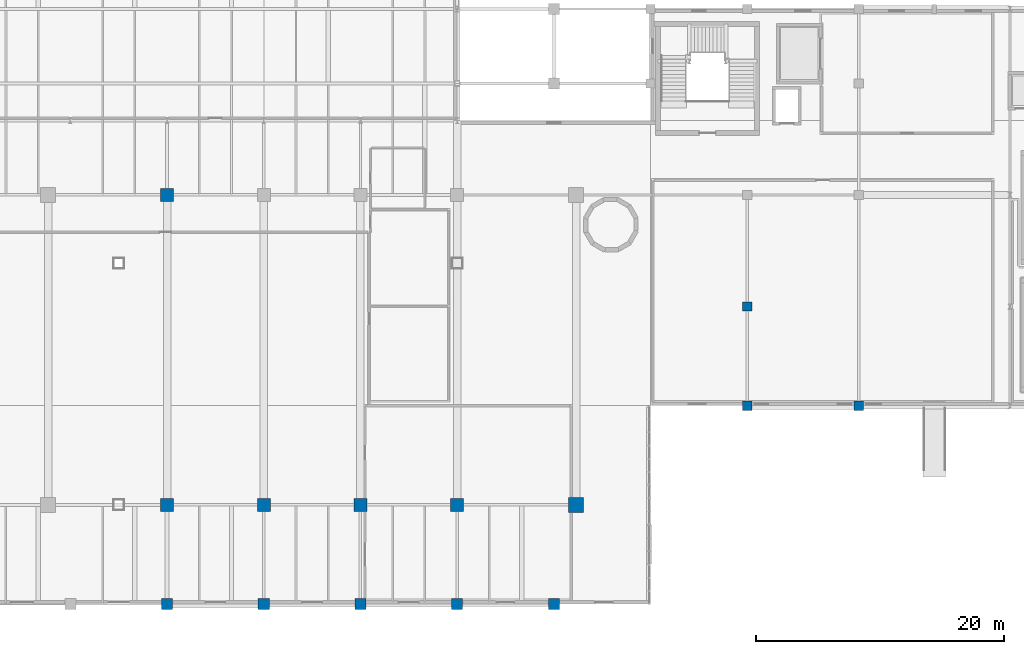
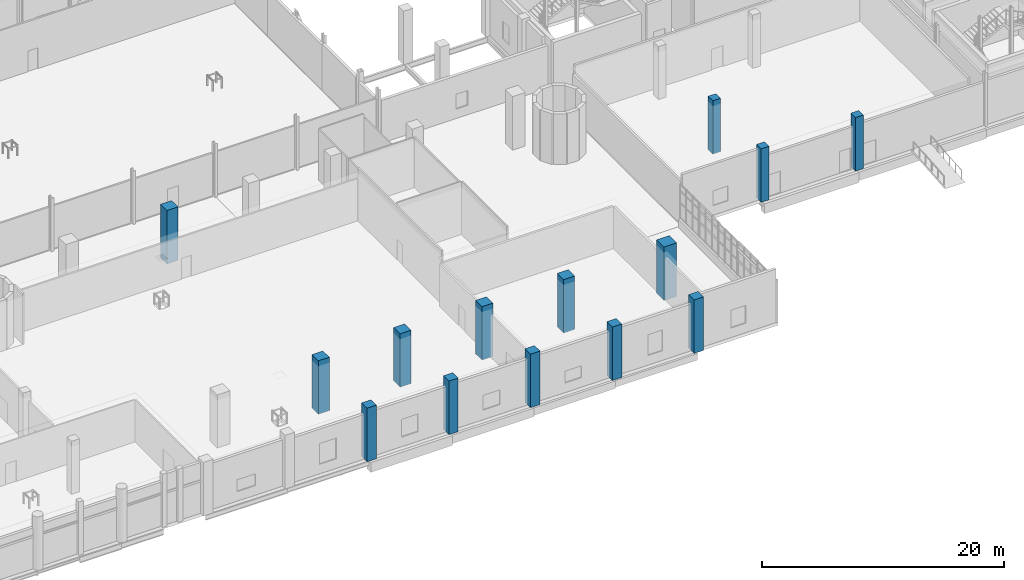
# One storey, part 6 of 57: 14 columns.
"""IFC4 building model written with IfcOpenShell, lengths in metres."""

from ifc_helpers import new_model, si_unit, derived_unit, direction, frame, origin, origin_2d, place, context, subcontext, project, spatial, rectangle, extrude, material, material_profile, profile_set, type_object, element, save


model = new_model("IFC4")

# Units and contexts
model_context = context("Model", 3, precision=1e-05, world=origin(), true_north=direction((0.0, 1.0)))
body_context = subcontext(model_context, "Body", "Model", "MODEL_VIEW")
ifc_project = project(units=[si_unit("LENGTHUNIT", "METRE"), si_unit("AREAUNIT", "SQUARE_METRE"), si_unit("VOLUMEUNIT", "CUBIC_METRE"), si_unit("PLANEANGLEUNIT", "RADIAN"), si_unit("MASSUNIT", "GRAM", prefix="KILO"), derived_unit("THERMALTRANSMITTANCEUNIT", [(si_unit("POWERUNIT", "WATT"), 1), (si_unit("LENGTHUNIT", "METRE"), -2), (si_unit("THERMODYNAMICTEMPERATUREUNIT", "KELVIN"), -1)])], contexts=[model_context])

# Site, building, storey
site_placement = place(None, origin())
site = spatial("IfcSite", under=ifc_project, at=site_placement, CompositionType="ELEMENT")
building_placement = place(site_placement, origin())
building = spatial("IfcBuilding", under=site, at=building_placement, Name="Nallur Shell Playhouse", CompositionType="ELEMENT")
storey_placement = place(building_placement, origin())
storey = spatial("IfcBuildingStorey", under=building, at=storey_placement, Name="L01", CompositionType="ELEMENT", Elevation=0.0)

# Columns
ifc_material_1 = material(Name="Concrete M45", Category="concrete")
ifc_material_profile_1 = material_profile(ifc_material_1, rectangle(XDim=1.050048828125, YDim=1.050048828125, at=origin_2d()), Name="RC 1050x1050")
ifc_profile_set_1 = profile_set([ifc_material_profile_1], Name="Concrete M45")
column_type_1 = type_object("IfcColumnType", Name="CL-RC-1050", PredefinedType="COLUMN", material=ifc_profile_set_1)
for number, where, z_axis, x_axis, name in (
    (1, (79.60009765625, 16.0, 0.0), (0.0, 0.0, 1.0), (1.0, 0.0, 0.0), "Column MC2S (L01)"),
    (2, (79.60009765625, 41.0, 0.0), (0.0, 0.0, 1.0), (1.0, 0.0, 0.0), "Column MC2N (L01)"),
    (3, (87.39990234375, 16.0, 0.0), (0.0, 0.0, 1.0), (1.0, 0.0, 0.0), "Column MC3S (L01)"),
    (4, (95.199951171875, 16.0, 0.0), (0.0, 0.0, 1.0), (1.0, 0.0, 0.0), "Column MC4S (L01)"),
    (5, (103.0, 16.0, 0.0), (0.0, 0.0, 1.0), (1.0, 0.0, 0.0), "Column MC5S (L01)"),
):
    element("IfcColumn", number, at=place(storey_placement, frame(where, z_axis=z_axis, x_axis=x_axis)), inside=storey, type_object=column_type_1, Name=name, PredefinedType="COLUMN", context=body_context, shape_type="SweptSolid", body=[
        extrude(rectangle(XDim=1.050048828125, YDim=1.050048828125, at=origin_2d()), origin(), (0.0, 0.0, 1.0), 5.39990234375),
    ])
ifc_material_profile_2 = material_profile(ifc_material_1, rectangle(XDim=1.199951171875, YDim=1.199951171875, at=origin_2d()), Name="RC 1200x1200")
ifc_profile_set_2 = profile_set([ifc_material_profile_2], Name="Concrete M45")
column_type_2 = type_object("IfcColumnType", Name="CL-RC-1200", PredefinedType="COLUMN", material=ifc_profile_set_2)
column_placement = place(storey_placement, frame((112.60009765625, 16.0, 0.0), z_axis=(0.0, 0.0, 1.0), x_axis=(1.0, 0.0, 0.0)))
element("IfcColumn", 6, at=column_placement, inside=storey, type_object=column_type_2, Name="Column MC6S (L01)", PredefinedType="COLUMN", context=body_context, shape_type="SweptSolid", body=[
    extrude(rectangle(XDim=1.199951171875, YDim=1.199951171875, at=origin_2d()), origin(), (0.0, 0.0, 1.0), 5.39990234375),
])
ifc_material_2 = material(Name="Concrete M40", Category="concrete")
ifc_material_profile_3 = material_profile(ifc_material_2, rectangle(XDim=0.75, YDim=0.75, at=origin_2d()), Name="RC 750x750")
ifc_profile_set_3 = profile_set([ifc_material_profile_3], Name="Concrete M40")
column_type_3 = type_object("IfcColumnType", Name="CL-RC-750", PredefinedType="COLUMN", material=ifc_profile_set_3)
for number, where, z_axis, x_axis, name in (
    (7, (126.39990234375, 24.0, 0.0), (0.0, 0.0, 1.0), (1.0, 0.0, 0.0), "Column 16-C (L01)"),
    (8, (126.39990234375, 32.0, 0.0), (0.0, 0.0, 1.0), (1.0, 0.0, 0.0), "Column 16-D (L01)"),
    (9, (135.39990234375, 24.0, 0.0), (0.0, 0.0, 1.0), (1.0, 0.0, 0.0), "Column 17-C (L01)"),
):
    element("IfcColumn", number, at=place(storey_placement, frame(where, z_axis=z_axis, x_axis=x_axis)), inside=storey, type_object=column_type_3, Name=name, PredefinedType="COLUMN", context=body_context, shape_type="SweptSolid", body=[
        extrude(rectangle(XDim=0.75, YDim=0.75, at=origin_2d()), origin(), (0.0, 0.0, 1.0), 5.39990234375),
    ])
ifc_material_profile_4 = material_profile(ifc_material_2, rectangle(XDim=0.89990234375, YDim=0.89990234375, at=origin_2d()), Name="RC 900x900")
ifc_profile_set_4 = profile_set([ifc_material_profile_4], Name="Concrete M40")
column_type_4 = type_object("IfcColumnType", Name="CL-RC-900", PredefinedType="COLUMN", material=ifc_profile_set_4)
for number, where, z_axis, x_axis, name in (
    (10, (79.60009765625, 8.0, 0.0), (0.0, 0.0, 1.0), (1.0, 0.0, 0.0), "Column 10-A (L01)"),
    (11, (87.39990234375, 8.0, 0.0), (0.0, 0.0, 1.0), (1.0, 0.0, 0.0), "Column 11-A (L01)"),
    (12, (95.199951171875, 8.0, 0.0), (0.0, 0.0, 1.0), (1.0, 0.0, 0.0), "Column 12-A (L01)"),
    (13, (103.0, 8.0, 0.0), (0.0, 0.0, 1.0), (1.0, 0.0, 0.0), "Column 13-A (L01)"),
    (14, (110.800048828125, 8.0, 0.0), (0.0, 0.0, 1.0), (1.0, 0.0, 0.0), "Column 14-A (L01)"),
):
    element("IfcColumn", number, at=place(storey_placement, frame(where, z_axis=z_axis, x_axis=x_axis)), inside=storey, type_object=column_type_4, Name=name, PredefinedType="COLUMN", context=body_context, shape_type="SweptSolid", body=[
        extrude(rectangle(XDim=0.89990234375, YDim=0.89990234375, at=origin_2d()), origin(), (0.0, 0.0, 1.0), 5.39990234375),
    ])

save(model, "model.ifc")
